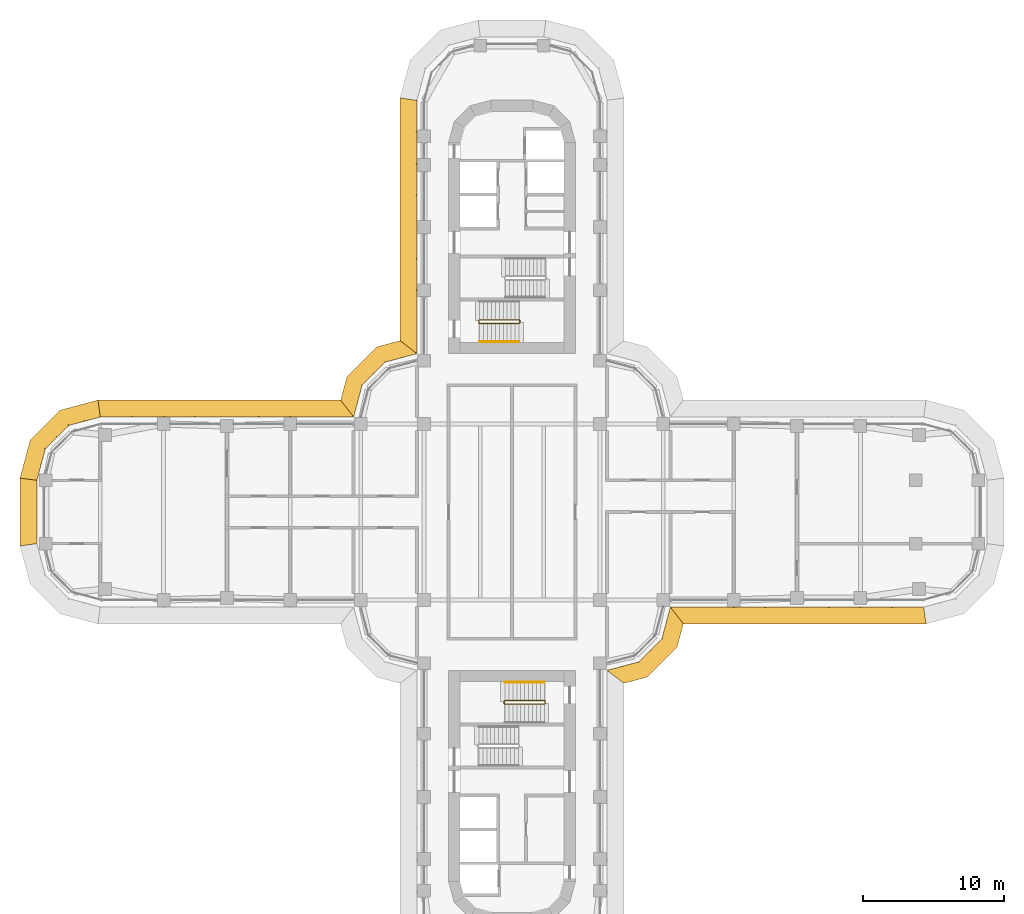
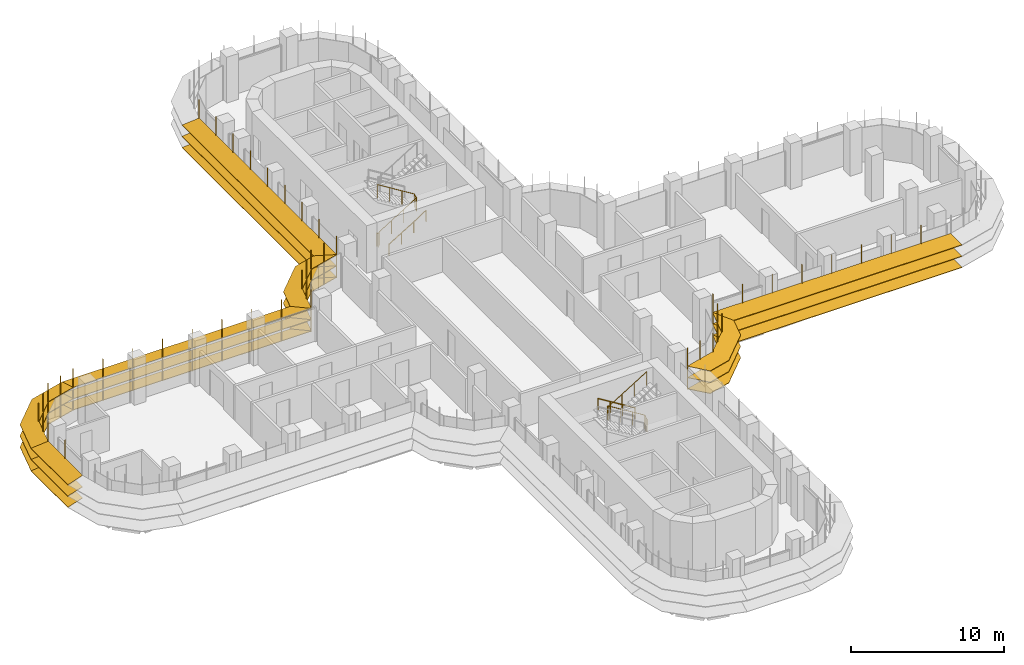
# One storey, part 21 of 23: 7 shading devices, 4 railings.
"""IFC4 building model written with IfcOpenShell, lengths in metres."""

from ifc_helpers import new_model, si_unit, direction, frame, origin, origin_2d, place, context, subcontext, project, spatial, polyline, circle, outline, extrude, faceted_brep, source, transform, mapped, material, type_object, element, save


model = new_model("IFC4")

# Units and contexts
model_context = context("Model", 3, precision=1e-05, world=origin(), true_north=direction((0.0, 1.0)))
body_context = subcontext(model_context, "Body", "Model", "MODEL_VIEW")
ifc_project = project(units=[si_unit("LENGTHUNIT", "METRE"), si_unit("AREAUNIT", "SQUARE_METRE"), si_unit("VOLUMEUNIT", "CUBIC_METRE"), si_unit("PLANEANGLEUNIT", "RADIAN"), si_unit("MASSUNIT", "GRAM", prefix="KILO")], contexts=[model_context])

# Site, building, storey
site_placement = place(None, origin())
site = spatial("IfcSite", under=ifc_project, at=site_placement, CompositionType="ELEMENT")
building_placement = place(site_placement, origin())
building = spatial("IfcBuilding", under=site, at=building_placement, Name="Zarbagh Exchange Tower", CompositionType="ELEMENT")
storey_placement = place(building_placement, frame((0.0, 0.0, 90.39990234375)))
storey = spatial("IfcBuildingStorey", under=building, at=storey_placement, Name="L20", CompositionType="ELEMENT", Elevation=90.39990234375)

# Railings
ifc_material_1 = material(Name="Stainless steel", Category="steel")
railing_type_1 = type_object("IfcRailingType", Name="Stair guard 1100 mm", PredefinedType="GUARDRAIL", material=ifc_material_1)
railing_1_placement = place(storey_placement, frame((-2.35009765625, 13.60009765625, 0.0)))
element("IfcRailing", 1, at=railing_1_placement, inside=storey, type_object=railing_type_1, Name="ST2 stair guard 1", PredefinedType="GUARDRAIL", context=body_context, shape_type="SweptSolid", body=[
    extrude(circle(Radius=0.02392578125, at=origin_2d()), frame((0.0, 0.0, 1.076171875), z_axis=(0.0, -1.0, 0.0), x_axis=(1.0, 0.0, 0.0)), (0.0, 0.0, 1.0), 0.150146484375),
    extrude(circle(Radius=0.02392578125, at=origin_2d()), frame((0.0, -0.150146484375, 1.076171875), z_axis=(0.267953482034, -0.267953482034, 0.925419830635), x_axis=(0.707106781187, 0.707106781187, 0.0)), (0.0, 0.0, 1.0), 0.186767578125),
    extrude(circle(Radius=0.02392578125, at=origin_2d()), frame((0.050048828125, -0.2001953125, 1.2490234375), z_axis=(0.851089632645, 0.0, 0.525020415988), x_axis=(0.0, 1.0, 0.0)), (0.0, 0.0, 1.0), 3.2900390625),
    extrude(circle(Radius=0.02392578125, at=origin_2d()), frame((2.85009765625, -0.2001953125, 2.97607421875), z_axis=(0.707106781187, 0.707106781187, 0.0), x_axis=(-0.707106781187, 0.707106781187, 0.0)), (0.0, 0.0, 1.0), 0.07080078125),
    extrude(circle(Radius=0.02392578125, at=origin_2d()), frame((2.900146484375, -0.150146484375, 2.97607421875), z_axis=(0.0, 1.0, 0.0), x_axis=(-1.0, 0.0, 0.0)), (0.0, 0.0, 1.0), 0.150146484375),
    extrude(circle(Radius=0.02392578125, at=origin_2d()), frame((2.900146484375, 0.0, 2.97607421875), z_axis=(-0.268371968888, 0.267062837333, 0.925556009775), x_axis=(-0.705375805398, -0.708833529934, 0.0)), (0.0, 0.0, 1.0), 0.1865234375),
    extrude(circle(Radius=0.02392578125, at=origin_2d()), frame((2.85009765625, 0.0498046875, 3.14892578125), z_axis=(-0.851089632645, 0.0, 0.525020415988), x_axis=(0.0, -1.0, 0.0)), (0.0, 0.0, 1.0), 3.2900390625),
    extrude(circle(Radius=0.02099609375, at=origin_2d()), origin(), (0.0, 0.0, 1.0), 1.052001953125),
    extrude(circle(Radius=0.02099609375, at=origin_2d()), frame((0.0, -0.150146484375, 0.0)), (0.0, 0.0, 1.0), 1.052001953125),
    extrude(circle(Radius=0.02099609375, at=origin_2d()), frame((0.050048828125, -0.2001953125, 0.1728515625)), (0.0, 0.0, 1.0), 1.052001953125),
    extrude(circle(Radius=0.02099609375, at=origin_2d()), frame((0.9833984375, -0.2001953125, 0.74853515625)), (0.0, 0.0, 1.0), 1.052001953125),
    extrude(circle(Radius=0.02099609375, at=origin_2d()), frame((1.916748046875, -0.2001953125, 1.324462890625)), (0.0, 0.0, 1.0), 1.052001953125),
    extrude(circle(Radius=0.02099609375, at=origin_2d()), frame((2.85009765625, -0.2001953125, 1.900146484375)), (0.0, 0.0, 1.0), 1.052001953125),
    extrude(circle(Radius=0.02099609375, at=origin_2d()), frame((2.900146484375, -0.150146484375, 1.900146484375)), (0.0, 0.0, 1.0), 1.052001953125),
    extrude(circle(Radius=0.02099609375, at=origin_2d()), frame((2.900146484375, 0.0, 1.900146484375)), (0.0, 0.0, 1.0), 1.052001953125),
    extrude(circle(Radius=0.02099609375, at=origin_2d()), frame((2.85009765625, 0.0498046875, 2.07275390625)), (0.0, 0.0, 1.0), 1.052001953125),
    extrude(circle(Radius=0.02099609375, at=origin_2d()), frame((1.916748046875, 0.0498046875, 2.6484375)), (0.0, 0.0, 1.0), 1.052001953125),
    extrude(circle(Radius=0.02099609375, at=origin_2d()), frame((0.9833984375, 0.0498046875, 3.224365234375)), (0.0, 0.0, 1.0), 1.052001953125),
    extrude(circle(Radius=0.02099609375, at=origin_2d()), frame((0.050048828125, 0.0498046875, 3.800048828125)), (0.0, 0.0, 1.0), 1.052001953125),
])
railing_2_placement = place(storey_placement, frame((2.35009765625, -13.60009765625, 0.0)))
element("IfcRailing", 2, at=railing_2_placement, inside=storey, type_object=railing_type_1, Name="ST4 stair guard 1", PredefinedType="GUARDRAIL", context=body_context, shape_type="SweptSolid", body=[
    extrude(circle(Radius=0.02392578125, at=origin_2d()), frame((0.0, 0.0, 1.076171875), z_axis=(0.0, 1.0, 0.0), x_axis=(-1.0, 0.0, 0.0)), (0.0, 0.0, 1.0), 0.150146484375),
    extrude(circle(Radius=0.02392578125, at=origin_2d()), frame((0.0, 0.150146484375, 1.076171875), z_axis=(-0.267953482034, 0.267953482034, 0.925419830635), x_axis=(-0.707106781187, -0.707106781187, 0.0)), (0.0, 0.0, 1.0), 0.186767578125),
    extrude(circle(Radius=0.02392578125, at=origin_2d()), frame((-0.050048828125, 0.2001953125, 1.2490234375), z_axis=(-0.851089632645, 0.0, 0.525020415988), x_axis=(0.0, -1.0, 0.0)), (0.0, 0.0, 1.0), 3.2900390625),
    extrude(circle(Radius=0.02392578125, at=origin_2d()), frame((-2.85009765625, 0.2001953125, 2.97607421875), z_axis=(-0.707106781187, -0.707106781187, 0.0), x_axis=(0.707106781187, -0.707106781187, 0.0)), (0.0, 0.0, 1.0), 0.07080078125),
    extrude(circle(Radius=0.02392578125, at=origin_2d()), frame((-2.900146484375, 0.150146484375, 2.97607421875), z_axis=(0.0, -1.0, 0.0), x_axis=(1.0, 0.0, 0.0)), (0.0, 0.0, 1.0), 0.150146484375),
    extrude(circle(Radius=0.02392578125, at=origin_2d()), frame((-2.900146484375, 0.0, 2.97607421875), z_axis=(0.268371968888, -0.267062837333, 0.925556009775), x_axis=(0.705375805398, 0.708833529934, 0.0)), (0.0, 0.0, 1.0), 0.1865234375),
    extrude(circle(Radius=0.02392578125, at=origin_2d()), frame((-2.85009765625, -0.0498046875, 3.14892578125), z_axis=(0.851089632645, 0.0, 0.525020415988), x_axis=(0.0, 1.0, 0.0)), (0.0, 0.0, 1.0), 3.2900390625),
    extrude(circle(Radius=0.02099609375, at=origin_2d()), origin(), (0.0, 0.0, 1.0), 1.052001953125),
    extrude(circle(Radius=0.02099609375, at=origin_2d()), frame((0.0, 0.150146484375, 0.0)), (0.0, 0.0, 1.0), 1.052001953125),
    extrude(circle(Radius=0.02099609375, at=origin_2d()), frame((-0.050048828125, 0.2001953125, 0.1728515625)), (0.0, 0.0, 1.0), 1.052001953125),
    extrude(circle(Radius=0.02099609375, at=origin_2d()), frame((-0.9833984375, 0.2001953125, 0.74853515625)), (0.0, 0.0, 1.0), 1.052001953125),
    extrude(circle(Radius=0.02099609375, at=origin_2d()), frame((-1.916748046875, 0.2001953125, 1.324462890625)), (0.0, 0.0, 1.0), 1.052001953125),
    extrude(circle(Radius=0.02099609375, at=origin_2d()), frame((-2.85009765625, 0.2001953125, 1.900146484375)), (0.0, 0.0, 1.0), 1.052001953125),
    extrude(circle(Radius=0.02099609375, at=origin_2d()), frame((-2.900146484375, 0.150146484375, 1.900146484375)), (0.0, 0.0, 1.0), 1.052001953125),
    extrude(circle(Radius=0.02099609375, at=origin_2d()), frame((-2.900146484375, 0.0, 1.900146484375)), (0.0, 0.0, 1.0), 1.052001953125),
    extrude(circle(Radius=0.02099609375, at=origin_2d()), frame((-2.85009765625, -0.0498046875, 2.07275390625)), (0.0, 0.0, 1.0), 1.052001953125),
    extrude(circle(Radius=0.02099609375, at=origin_2d()), frame((-1.916748046875, -0.0498046875, 2.6484375)), (0.0, 0.0, 1.0), 1.052001953125),
    extrude(circle(Radius=0.02099609375, at=origin_2d()), frame((-0.9833984375, -0.0498046875, 3.224365234375)), (0.0, 0.0, 1.0), 1.052001953125),
    extrude(circle(Radius=0.02099609375, at=origin_2d()), frame((-0.050048828125, -0.0498046875, 3.800048828125)), (0.0, 0.0, 1.0), 1.052001953125),
])
railing_type_2 = type_object("IfcRailingType", Name="Stair handrail 900 mm", PredefinedType="HANDRAIL", material=ifc_material_1)
railing_3_placement = place(storey_placement, frame((-2.300048828125, 12.10009765625, 0.1728515625)))
element("IfcRailing", 3, at=railing_3_placement, inside=storey, type_object=railing_type_2, Name="ST2 stair handrail 1", PredefinedType="HANDRAIL", context=body_context, shape_type="SweptSolid", body=[
    extrude(circle(Radius=0.02392578125, at=origin_2d()), frame((0.0, 0.0, 0.8759765625), z_axis=(0.851089632645, 0.0, 0.525020415988), x_axis=(0.0, 1.0, 0.0)), (0.0, 0.0, 1.0), 3.2900390625),
    extrude(circle(Radius=0.02099609375, at=origin_2d()), origin(), (0.0, 0.0, 1.0), 0.851806640625),
    extrude(circle(Radius=0.02099609375, at=origin_2d()), frame((0.933349609375, 0.0, 0.57568359375)), (0.0, 0.0, 1.0), 0.851806640625),
    extrude(circle(Radius=0.02099609375, at=origin_2d()), frame((1.86669921875, 0.0, 1.151611328125)), (0.0, 0.0, 1.0), 0.851806640625),
    extrude(circle(Radius=0.02099609375, at=origin_2d()), frame((2.800048828125, 0.0, 1.727294921875)), (0.0, 0.0, 1.0), 0.851806640625),
])
railing_4_placement = place(storey_placement, frame((2.300048828125, -12.10009765625, 0.1728515625)))
element("IfcRailing", 4, at=railing_4_placement, inside=storey, type_object=railing_type_2, Name="ST4 stair handrail 1", PredefinedType="HANDRAIL", context=body_context, shape_type="SweptSolid", body=[
    extrude(circle(Radius=0.02392578125, at=origin_2d()), frame((0.0, 0.0, 0.8759765625), z_axis=(-0.851089632645, 0.0, 0.525020415988), x_axis=(0.0, -1.0, 0.0)), (0.0, 0.0, 1.0), 3.2900390625),
    extrude(circle(Radius=0.02099609375, at=origin_2d()), origin(), (0.0, 0.0, 1.0), 0.851806640625),
    extrude(circle(Radius=0.02099609375, at=origin_2d()), frame((-0.933349609375, 0.0, 0.57568359375)), (0.0, 0.0, 1.0), 0.851806640625),
    extrude(circle(Radius=0.02099609375, at=origin_2d()), frame((-1.86669921875, 0.0, 1.151611328125)), (0.0, 0.0, 1.0), 0.851806640625),
    extrude(circle(Radius=0.02099609375, at=origin_2d()), frame((-2.800048828125, 0.0, 1.727294921875)), (0.0, 0.0, 1.0), 0.851806640625),
])

# Shading devices
ifc_material_2 = material(Name="Anodised aluminium blades and brackets", Category="aluminium")
shading_device_type = type_object("IfcShadingDeviceType", Name="SUNSHADE louvre band, 11.25 degree blades", PredefinedType="JALOUSIE", material=ifc_material_2)
shared_shape_1 = source(origin(), body_context, "Body", "Brep", [
    faceted_brep([(0.0, 0.0, 0.0), (0.0, 0.0, -0.040771484375), (-0.157958984375, -1.199951171875, -0.279541015625), (-0.157958984375, -1.199951171875, -0.23876953125), (2.65087890625, -1.199951171875, -0.23876953125), (2.65087890625, -1.199951171875, -0.279541015625), (2.329345703125, 0.0, -0.040771484375), (2.329345703125, 0.0, 0.0)], [[[0, 1, 2, 3]], [[4, 5, 6, 7]], [[0, 7, 6, 1]], [[1, 6, 5, 2]], [[2, 5, 4, 3]], [[3, 4, 7, 0]]]),
])
shared_shape_2 = source(origin(), body_context, "Body", "Brep", [
    faceted_brep([(0.0, 0.0, 0.0), (0.0, 0.0, -0.040771484375), (-0.321533203125, -1.199951171875, -0.279541015625), (-0.321533203125, -1.199951171875, -0.23876953125), (2.65087890625, -1.199951171875, -0.23876953125), (2.65087890625, -1.199951171875, -0.279541015625), (2.329345703125, 0.0, -0.040771484375), (2.329345703125, 0.0, 0.0)], [[[0, 1, 2, 3]], [[4, 5, 6, 7]], [[0, 7, 6, 1]], [[1, 6, 5, 2]], [[2, 5, 4, 3]], [[3, 4, 7, 0]]]),
])
shared_shape_3 = source(origin(), body_context, "Body", "Brep", [
    faceted_brep([(0.0, 0.0, 0.0), (0.0, 0.0, -0.040771484375), (-0.321533203125, -1.199951171875, -0.279541015625), (-0.321533203125, -1.199951171875, -0.23876953125), (2.4873046875, -1.199951171875, -0.23876953125), (2.4873046875, -1.199951171875, -0.279541015625), (2.329345703125, 0.0, -0.040771484375), (2.329345703125, 0.0, 0.0)], [[[0, 1, 2, 3]], [[4, 5, 6, 7]], [[0, 7, 6, 1]], [[1, 6, 5, 2]], [[2, 5, 4, 3]], [[3, 4, 7, 0]]]),
])
shared_shape_4 = source(origin(), body_context, "Body", "SweptSolid", [
    extrude(outline(polyline([(0.0, -0.012451171875), (0.06005859375, -0.012451171875), (0.06005859375, 0.012451171875), (0.0, 0.012451171875), (0.0, -0.012451171875)])), origin(), (0.0, 0.0, 1.0), 3.350830078125),
])
placement = place(storey_placement, origin())
element("IfcShadingDevice", 5, at=placement, inside=storey, type_object=shading_device_type, Name="SS17 sunshade band", PredefinedType="JALOUSIE", context=body_context, shape_type="MappedRepresentation", body=[
    mapped(shared_shape_1, transform((-29.25, 6.75, 2.300048828125), x_axis=(-0.965924289636, -0.258824779902, 0.0), y_axis=(0.258824779902, -0.965924289636, 0.0), z_axis=(0.0, 0.0, 1.0))),
    mapped(shared_shape_1, transform((-29.25, 6.75, 1.400146484375), x_axis=(-0.965924289636, -0.258824779902, 0.0), y_axis=(0.258824779902, -0.965924289636, 0.0), z_axis=(0.0, 0.0, 1.0))),
    mapped(shared_shape_1, transform((-29.25, 6.75, 0.5), x_axis=(-0.965924289636, -0.258824779902, 0.0), y_axis=(0.258824779902, -0.965924289636, 0.0), z_axis=(0.0, 0.0, 1.0))),
    mapped(shared_shape_2, transform((-31.5, 6.147216796875, 2.300048828125), x_axis=(-0.707106781187, -0.707106781187, 0.0), y_axis=(0.707106781187, -0.707106781187, 0.0), z_axis=(0.0, 0.0, 1.0))),
    mapped(shared_shape_2, transform((-31.5, 6.147216796875, 1.400146484375), x_axis=(-0.707106781187, -0.707106781187, 0.0), y_axis=(0.707106781187, -0.707106781187, 0.0), z_axis=(0.0, 0.0, 1.0))),
    mapped(shared_shape_2, transform((-31.5, 6.147216796875, 0.5), x_axis=(-0.707106781187, -0.707106781187, 0.0), y_axis=(0.707106781187, -0.707106781187, 0.0), z_axis=(0.0, 0.0, 1.0))),
    mapped(shared_shape_3, transform((-33.147216796875, 4.5, 2.300048828125), x_axis=(-0.258824779902, -0.965924289636, 0.0), y_axis=(0.965924289636, -0.258824779902, 0.0), z_axis=(0.0, 0.0, 1.0))),
    mapped(shared_shape_3, transform((-33.147216796875, 4.5, 1.400146484375), x_axis=(-0.258824779902, -0.965924289636, 0.0), y_axis=(0.965924289636, -0.258824779902, 0.0), z_axis=(0.0, 0.0, 1.0))),
    mapped(shared_shape_3, transform((-33.147216796875, 4.5, 0.5), x_axis=(-0.258824779902, -0.965924289636, 0.0), y_axis=(0.965924289636, -0.258824779902, 0.0), z_axis=(0.0, 0.0, 1.0))),
    mapped(shared_shape_4, transform((-29.25, 6.75, 0.42919921875), x_axis=(-0.130529263012, 0.991444457092, 0.0), y_axis=(-0.991444457092, -0.130529263012, 0.0), z_axis=(0.0, 0.0, 1.0))),
    mapped(shared_shape_4, transform((-30.375, 6.448486328125, 0.42919921875), x_axis=(-0.258825058029, 0.96592421511, 0.0), y_axis=(-0.96592421511, -0.258825058029, 0.0), z_axis=(0.0, 0.0, 1.0))),
    mapped(shared_shape_4, transform((-31.5, 6.147216796875, 0.42919921875), x_axis=(-0.50000275701, 0.866023812018, 0.0), y_axis=(-0.866023812018, -0.50000275701, 0.0), z_axis=(0.0, 0.0, 1.0))),
    mapped(shared_shape_4, transform((-32.323486328125, 5.323486328125, 0.42919921875), x_axis=(-0.707106781187, 0.707106781187, 0.0), y_axis=(-0.707106781187, -0.707106781187, 0.0), z_axis=(0.0, 0.0, 1.0))),
    mapped(shared_shape_4, transform((-33.147216796875, 4.5, 0.42919921875), x_axis=(-0.866023812018, 0.50000275701, 0.0), y_axis=(-0.50000275701, -0.866023812018, 0.0), z_axis=(0.0, 0.0, 1.0))),
    mapped(shared_shape_4, transform((-33.448486328125, 3.375, 0.42919921875), x_axis=(-0.96592421511, 0.258825058029, 0.0), y_axis=(-0.258825058029, -0.96592421511, 0.0), z_axis=(0.0, 0.0, 1.0))),
])
shared_shape_5 = source(origin(), body_context, "Body", "Brep", [
    faceted_brep([(0.0, 0.0, 0.0), (0.0, 0.0, -0.040771484375), (0.9208984375, -1.199951171875, -0.279541015625), (0.9208984375, -1.199951171875, -0.23876953125), (2.65087890625, -1.199951171875, -0.23876953125), (2.65087890625, -1.199951171875, -0.279541015625), (2.329345703125, 0.0, -0.040771484375), (2.329345703125, 0.0, 0.0)], [[[0, 1, 2, 3]], [[4, 5, 6, 7]], [[0, 7, 6, 1]], [[1, 6, 5, 2]], [[2, 5, 4, 3]], [[3, 4, 7, 0]]]),
])
shared_shape_6 = source(origin(), body_context, "Body", "Brep", [
    faceted_brep([(0.0, 0.0, 0.0), (0.0, 0.0, -0.040771484375), (-0.321533203125, -1.199951171875, -0.279541015625), (-0.321533203125, -1.199951171875, -0.23876953125), (1.40869140625, -1.199951171875, -0.23876953125), (1.40869140625, -1.199951171875, -0.279541015625), (2.329345703125, 0.0, -0.040771484375), (2.329345703125, 0.0, 0.0)], [[[0, 1, 2, 3]], [[4, 5, 6, 7]], [[0, 7, 6, 1]], [[1, 6, 5, 2]], [[2, 5, 4, 3]], [[3, 4, 7, 0]]]),
])
element("IfcShadingDevice", 6, at=placement, inside=storey, type_object=shading_device_type, Name="SS03 sunshade band", PredefinedType="JALOUSIE", context=body_context, shape_type="MappedRepresentation", body=[
    mapped(shared_shape_5, transform((6.75, -11.25, 2.300048828125), x_axis=(0.965924289636, 0.258824779902, 0.0), y_axis=(-0.258824779902, 0.965924289636, 0.0), z_axis=(0.0, 0.0, 1.0))),
    mapped(shared_shape_5, transform((6.75, -11.25, 1.400146484375), x_axis=(0.965924289636, 0.258824779902, 0.0), y_axis=(-0.258824779902, 0.965924289636, 0.0), z_axis=(0.0, 0.0, 1.0))),
    mapped(shared_shape_5, transform((6.75, -11.25, 0.5), x_axis=(0.965924289636, 0.258824779902, 0.0), y_axis=(-0.258824779902, 0.965924289636, 0.0), z_axis=(0.0, 0.0, 1.0))),
    mapped(shared_shape_2, transform((9.0, -10.647216796875, 2.300048828125), x_axis=(0.707106781187, 0.707106781187, 0.0), y_axis=(-0.707106781187, 0.707106781187, 0.0), z_axis=(0.0, 0.0, 1.0))),
    mapped(shared_shape_2, transform((9.0, -10.647216796875, 1.400146484375), x_axis=(0.707106781187, 0.707106781187, 0.0), y_axis=(-0.707106781187, 0.707106781187, 0.0), z_axis=(0.0, 0.0, 1.0))),
    mapped(shared_shape_2, transform((9.0, -10.647216796875, 0.5), x_axis=(0.707106781187, 0.707106781187, 0.0), y_axis=(-0.707106781187, 0.707106781187, 0.0), z_axis=(0.0, 0.0, 1.0))),
    mapped(shared_shape_6, transform((10.647216796875, -9.0, 2.300048828125), x_axis=(0.258824779902, 0.965924289636, 0.0), y_axis=(-0.965924289636, 0.258824779902, 0.0), z_axis=(0.0, 0.0, 1.0))),
    mapped(shared_shape_6, transform((10.647216796875, -9.0, 1.400146484375), x_axis=(0.258824779902, 0.965924289636, 0.0), y_axis=(-0.965924289636, 0.258824779902, 0.0), z_axis=(0.0, 0.0, 1.0))),
    mapped(shared_shape_6, transform((10.647216796875, -9.0, 0.5), x_axis=(0.258824779902, 0.965924289636, 0.0), y_axis=(-0.965924289636, 0.258824779902, 0.0), z_axis=(0.0, 0.0, 1.0))),
    mapped(shared_shape_4, transform((6.75, -11.25, 0.42919921875), x_axis=(0.793355287, -0.608758892, 0.0), y_axis=(0.608758892, 0.793355287, 0.0), z_axis=(0.0, 0.0, 1.0))),
    mapped(shared_shape_4, transform((7.875, -10.948486328125, 0.42919921875), x_axis=(0.258825058029, -0.96592421511, 0.0), y_axis=(0.96592421511, 0.258825058029, 0.0), z_axis=(0.0, 0.0, 1.0))),
    mapped(shared_shape_4, transform((9.0, -10.647216796875, 0.42919921875), x_axis=(0.50000275701, -0.866023812018, 0.0), y_axis=(0.866023812018, 0.50000275701, 0.0), z_axis=(0.0, 0.0, 1.0))),
    mapped(shared_shape_4, transform((9.823486328125, -9.823486328125, 0.42919921875), x_axis=(0.707106781187, -0.707106781187, 0.0), y_axis=(0.707106781187, 0.707106781187, 0.0), z_axis=(0.0, 0.0, 1.0))),
    mapped(shared_shape_4, transform((10.647216796875, -9.0, 0.42919921875), x_axis=(0.866023812018, -0.50000275701, 0.0), y_axis=(0.50000275701, 0.866023812018, 0.0), z_axis=(0.0, 0.0, 1.0))),
    mapped(shared_shape_4, transform((10.948486328125, -7.875, 0.42919921875), x_axis=(0.96592421511, -0.258825058029, 0.0), y_axis=(0.258825058029, 0.96592421511, 0.0), z_axis=(0.0, 0.0, 1.0))),
])
element("IfcShadingDevice", 7, at=placement, inside=storey, type_object=shading_device_type, Name="SS15 sunshade band", PredefinedType="JALOUSIE", context=body_context, shape_type="MappedRepresentation", body=[
    mapped(shared_shape_5, transform((-6.75, 11.25, 2.300048828125), x_axis=(-0.965924289636, -0.258824779902, 0.0), y_axis=(0.258824779902, -0.965924289636, 0.0), z_axis=(0.0, 0.0, 1.0))),
    mapped(shared_shape_5, transform((-6.75, 11.25, 1.400146484375), x_axis=(-0.965924289636, -0.258824779902, 0.0), y_axis=(0.258824779902, -0.965924289636, 0.0), z_axis=(0.0, 0.0, 1.0))),
    mapped(shared_shape_5, transform((-6.75, 11.25, 0.5), x_axis=(-0.965924289636, -0.258824779902, 0.0), y_axis=(0.258824779902, -0.965924289636, 0.0), z_axis=(0.0, 0.0, 1.0))),
    mapped(shared_shape_2, transform((-9.0, 10.647216796875, 2.300048828125), x_axis=(-0.707106781187, -0.707106781187, 0.0), y_axis=(0.707106781187, -0.707106781187, 0.0), z_axis=(0.0, 0.0, 1.0))),
    mapped(shared_shape_2, transform((-9.0, 10.647216796875, 1.400146484375), x_axis=(-0.707106781187, -0.707106781187, 0.0), y_axis=(0.707106781187, -0.707106781187, 0.0), z_axis=(0.0, 0.0, 1.0))),
    mapped(shared_shape_2, transform((-9.0, 10.647216796875, 0.5), x_axis=(-0.707106781187, -0.707106781187, 0.0), y_axis=(0.707106781187, -0.707106781187, 0.0), z_axis=(0.0, 0.0, 1.0))),
    mapped(shared_shape_6, transform((-10.647216796875, 9.0, 2.300048828125), x_axis=(-0.258824779902, -0.965924289636, 0.0), y_axis=(0.965924289636, -0.258824779902, 0.0), z_axis=(0.0, 0.0, 1.0))),
    mapped(shared_shape_6, transform((-10.647216796875, 9.0, 1.400146484375), x_axis=(-0.258824779902, -0.965924289636, 0.0), y_axis=(0.965924289636, -0.258824779902, 0.0), z_axis=(0.0, 0.0, 1.0))),
    mapped(shared_shape_6, transform((-10.647216796875, 9.0, 0.5), x_axis=(-0.258824779902, -0.965924289636, 0.0), y_axis=(0.965924289636, -0.258824779902, 0.0), z_axis=(0.0, 0.0, 1.0))),
    mapped(shared_shape_4, transform((-6.75, 11.25, 0.42919921875), x_axis=(-0.793355287, 0.608758892, 0.0), y_axis=(-0.608758892, -0.793355287, 0.0), z_axis=(0.0, 0.0, 1.0))),
    mapped(shared_shape_4, transform((-7.875, 10.948486328125, 0.42919921875), x_axis=(-0.258825058029, 0.96592421511, 0.0), y_axis=(-0.96592421511, -0.258825058029, 0.0), z_axis=(0.0, 0.0, 1.0))),
    mapped(shared_shape_4, transform((-9.0, 10.647216796875, 0.42919921875), x_axis=(-0.50000275701, 0.866023812018, 0.0), y_axis=(-0.866023812018, -0.50000275701, 0.0), z_axis=(0.0, 0.0, 1.0))),
    mapped(shared_shape_4, transform((-9.823486328125, 9.823486328125, 0.42919921875), x_axis=(-0.707106781187, 0.707106781187, 0.0), y_axis=(-0.707106781187, -0.707106781187, 0.0), z_axis=(0.0, 0.0, 1.0))),
    mapped(shared_shape_4, transform((-10.647216796875, 9.0, 0.42919921875), x_axis=(-0.866023812018, 0.50000275701, 0.0), y_axis=(-0.50000275701, -0.866023812018, 0.0), z_axis=(0.0, 0.0, 1.0))),
    mapped(shared_shape_4, transform((-10.948486328125, 7.875, 0.42919921875), x_axis=(-0.96592421511, 0.258825058029, 0.0), y_axis=(-0.258825058029, -0.96592421511, 0.0), z_axis=(0.0, 0.0, 1.0))),
])
shared_shape_7 = source(origin(), body_context, "Body", "Brep", [
    faceted_brep([(0.0, 0.0, 0.0), (0.0, 0.0, -0.040771484375), (0.9208984375, -1.199951171875, -0.279541015625), (0.9208984375, -1.199951171875, -0.23876953125), (18.157958984375, -1.199951171875, -0.23876953125), (18.157958984375, -1.199951171875, -0.279541015625), (18.0, 0.0, -0.040771484375), (18.0, 0.0, 0.0)], [[[0, 1, 2, 3]], [[4, 5, 6, 7]], [[0, 7, 6, 1]], [[1, 6, 5, 2]], [[2, 5, 4, 3]], [[3, 4, 7, 0]]]),
])
element("IfcShadingDevice", 8, at=placement, inside=storey, type_object=shading_device_type, Name="SS04 sunshade band", PredefinedType="JALOUSIE", context=body_context, shape_type="MappedRepresentation", body=[
    mapped(shared_shape_7, transform((11.25, -6.75, 2.300048828125), x_axis=(1.0, 0.0, 0.0), y_axis=(0.0, 1.0, 0.0), z_axis=(0.0, 0.0, 1.0))),
    mapped(shared_shape_7, transform((11.25, -6.75, 1.400146484375), x_axis=(1.0, 0.0, 0.0), y_axis=(0.0, 1.0, 0.0), z_axis=(0.0, 0.0, 1.0))),
    mapped(shared_shape_7, transform((11.25, -6.75, 0.5), x_axis=(1.0, 0.0, 0.0), y_axis=(0.0, 1.0, 0.0), z_axis=(0.0, 0.0, 1.0))),
    mapped(shared_shape_4, transform((11.25, -6.75, 0.42919921875), x_axis=(0.608758892, -0.793355287, 0.0), y_axis=(0.793355287, 0.608758892, 0.0), z_axis=(0.0, 0.0, 1.0))),
    mapped(shared_shape_4, transform((13.5, -6.75, 0.42919921875), x_axis=(0.0, -1.0, 0.0), y_axis=(1.0, 0.0, 0.0), z_axis=(0.0, 0.0, 1.0))),
    mapped(shared_shape_4, transform((15.75, -6.75, 0.42919921875), x_axis=(0.0, -1.0, 0.0), y_axis=(1.0, 0.0, 0.0), z_axis=(0.0, 0.0, 1.0))),
    mapped(shared_shape_4, transform((18.0, -6.75, 0.42919921875), x_axis=(0.0, -1.0, 0.0), y_axis=(1.0, 0.0, 0.0), z_axis=(0.0, 0.0, 1.0))),
    mapped(shared_shape_4, transform((20.25, -6.75, 0.42919921875), x_axis=(0.0, -1.0, 0.0), y_axis=(1.0, 0.0, 0.0), z_axis=(0.0, 0.0, 1.0))),
    mapped(shared_shape_4, transform((22.5, -6.75, 0.42919921875), x_axis=(0.0, -1.0, 0.0), y_axis=(1.0, 0.0, 0.0), z_axis=(0.0, 0.0, 1.0))),
    mapped(shared_shape_4, transform((24.75, -6.75, 0.42919921875), x_axis=(0.0, -1.0, 0.0), y_axis=(1.0, 0.0, 0.0), z_axis=(0.0, 0.0, 1.0))),
    mapped(shared_shape_4, transform((27.0, -6.75, 0.42919921875), x_axis=(0.0, -1.0, 0.0), y_axis=(1.0, 0.0, 0.0), z_axis=(0.0, 0.0, 1.0))),
])
shared_shape_8 = source(origin(), body_context, "Body", "Brep", [
    faceted_brep([(0.0, 0.0, 0.0), (0.0, 0.0, -0.040771484375), (-0.157958984375, -1.199951171875, -0.279541015625), (-0.157958984375, -1.199951171875, -0.23876953125), (17.0791015625, -1.199951171875, -0.23876953125), (17.0791015625, -1.199951171875, -0.279541015625), (18.0, 0.0, -0.040771484375), (18.0, 0.0, 0.0)], [[[0, 1, 2, 3]], [[4, 5, 6, 7]], [[0, 7, 6, 1]], [[1, 6, 5, 2]], [[2, 5, 4, 3]], [[3, 4, 7, 0]]]),
])
element("IfcShadingDevice", 9, at=placement, inside=storey, type_object=shading_device_type, Name="SS14 sunshade band", PredefinedType="JALOUSIE", context=body_context, shape_type="MappedRepresentation", body=[
    mapped(shared_shape_8, transform((-6.75, 29.25, 2.300048828125), x_axis=(0.0, -1.0, 0.0), y_axis=(1.0, 0.0, 0.0), z_axis=(0.0, 0.0, 1.0))),
    mapped(shared_shape_8, transform((-6.75, 29.25, 1.400146484375), x_axis=(0.0, -1.0, 0.0), y_axis=(1.0, 0.0, 0.0), z_axis=(0.0, 0.0, 1.0))),
    mapped(shared_shape_8, transform((-6.75, 29.25, 0.5), x_axis=(0.0, -1.0, 0.0), y_axis=(1.0, 0.0, 0.0), z_axis=(0.0, 0.0, 1.0))),
    mapped(shared_shape_4, transform((-6.75, 29.25, 0.42919921875), x_axis=(-0.991444457092, 0.130529263012, 0.0), y_axis=(-0.130529263012, -0.991444457092, 0.0), z_axis=(0.0, 0.0, 1.0))),
    mapped(shared_shape_4, transform((-6.75, 27.0, 0.42919921875), x_axis=(-1.0, 0.0, 0.0), y_axis=(0.0, -1.0, 0.0), z_axis=(0.0, 0.0, 1.0))),
    mapped(shared_shape_4, transform((-6.75, 24.75, 0.42919921875), x_axis=(-1.0, 0.0, 0.0), y_axis=(0.0, -1.0, 0.0), z_axis=(0.0, 0.0, 1.0))),
    mapped(shared_shape_4, transform((-6.75, 22.5, 0.42919921875), x_axis=(-1.0, 0.0, 0.0), y_axis=(0.0, -1.0, 0.0), z_axis=(0.0, 0.0, 1.0))),
    mapped(shared_shape_4, transform((-6.75, 20.25, 0.42919921875), x_axis=(-1.0, 0.0, 0.0), y_axis=(0.0, -1.0, 0.0), z_axis=(0.0, 0.0, 1.0))),
    mapped(shared_shape_4, transform((-6.75, 18.0, 0.42919921875), x_axis=(-1.0, 0.0, 0.0), y_axis=(0.0, -1.0, 0.0), z_axis=(0.0, 0.0, 1.0))),
    mapped(shared_shape_4, transform((-6.75, 15.75, 0.42919921875), x_axis=(-1.0, 0.0, 0.0), y_axis=(0.0, -1.0, 0.0), z_axis=(0.0, 0.0, 1.0))),
    mapped(shared_shape_4, transform((-6.75, 13.5, 0.42919921875), x_axis=(-1.0, 0.0, 0.0), y_axis=(0.0, -1.0, 0.0), z_axis=(0.0, 0.0, 1.0))),
])
element("IfcShadingDevice", 10, at=placement, inside=storey, type_object=shading_device_type, Name="SS16 sunshade band", PredefinedType="JALOUSIE", context=body_context, shape_type="MappedRepresentation", body=[
    mapped(shared_shape_7, transform((-11.25, 6.75, 2.300048828125), x_axis=(-1.0, 0.0, 0.0), y_axis=(0.0, -1.0, 0.0), z_axis=(0.0, 0.0, 1.0))),
    mapped(shared_shape_7, transform((-11.25, 6.75, 1.400146484375), x_axis=(-1.0, 0.0, 0.0), y_axis=(0.0, -1.0, 0.0), z_axis=(0.0, 0.0, 1.0))),
    mapped(shared_shape_7, transform((-11.25, 6.75, 0.5), x_axis=(-1.0, 0.0, 0.0), y_axis=(0.0, -1.0, 0.0), z_axis=(0.0, 0.0, 1.0))),
    mapped(shared_shape_4, transform((-11.25, 6.75, 0.42919921875), x_axis=(-0.608758892, 0.793355287, 0.0), y_axis=(-0.793355287, -0.608758892, 0.0), z_axis=(0.0, 0.0, 1.0))),
    mapped(shared_shape_4, transform((-13.5, 6.75, 0.42919921875), x_axis=(0.0, 1.0, 0.0), y_axis=(-1.0, 0.0, 0.0), z_axis=(0.0, 0.0, 1.0))),
    mapped(shared_shape_4, transform((-15.75, 6.75, 0.42919921875), x_axis=(0.0, 1.0, 0.0), y_axis=(-1.0, 0.0, 0.0), z_axis=(0.0, 0.0, 1.0))),
    mapped(shared_shape_4, transform((-18.0, 6.75, 0.42919921875), x_axis=(0.0, 1.0, 0.0), y_axis=(-1.0, 0.0, 0.0), z_axis=(0.0, 0.0, 1.0))),
    mapped(shared_shape_4, transform((-20.25, 6.75, 0.42919921875), x_axis=(0.0, 1.0, 0.0), y_axis=(-1.0, 0.0, 0.0), z_axis=(0.0, 0.0, 1.0))),
    mapped(shared_shape_4, transform((-22.5, 6.75, 0.42919921875), x_axis=(0.0, 1.0, 0.0), y_axis=(-1.0, 0.0, 0.0), z_axis=(0.0, 0.0, 1.0))),
    mapped(shared_shape_4, transform((-24.75, 6.75, 0.42919921875), x_axis=(0.0, 1.0, 0.0), y_axis=(-1.0, 0.0, 0.0), z_axis=(0.0, 0.0, 1.0))),
    mapped(shared_shape_4, transform((-27.0, 6.75, 0.42919921875), x_axis=(0.0, 1.0, 0.0), y_axis=(-1.0, 0.0, 0.0), z_axis=(0.0, 0.0, 1.0))),
])
shared_shape_9 = source(origin(), body_context, "Body", "Brep", [
    faceted_brep([(0.0, 0.0, 0.0), (0.0, 0.0, -0.040771484375), (-0.157958984375, -1.199951171875, -0.279541015625), (-0.157958984375, -1.199951171875, -0.23876953125), (4.657958984375, -1.199951171875, -0.23876953125), (4.657958984375, -1.199951171875, -0.279541015625), (4.5, 0.0, -0.040771484375), (4.5, 0.0, 0.0)], [[[0, 1, 2, 3]], [[4, 5, 6, 7]], [[0, 7, 6, 1]], [[1, 6, 5, 2]], [[2, 5, 4, 3]], [[3, 4, 7, 0]]]),
])
element("IfcShadingDevice", 11, at=placement, inside=storey, type_object=shading_device_type, Name="SS18 sunshade band", PredefinedType="JALOUSIE", context=body_context, shape_type="MappedRepresentation", body=[
    mapped(shared_shape_9, transform((-33.75, 2.25, 2.300048828125), x_axis=(0.0, -1.0, 0.0), y_axis=(1.0, 0.0, 0.0), z_axis=(0.0, 0.0, 1.0))),
    mapped(shared_shape_9, transform((-33.75, 2.25, 1.400146484375), x_axis=(0.0, -1.0, 0.0), y_axis=(1.0, 0.0, 0.0), z_axis=(0.0, 0.0, 1.0))),
    mapped(shared_shape_9, transform((-33.75, 2.25, 0.5), x_axis=(0.0, -1.0, 0.0), y_axis=(1.0, 0.0, 0.0), z_axis=(0.0, 0.0, 1.0))),
    mapped(shared_shape_4, transform((-33.75, 2.25, 0.42919921875), x_axis=(-0.991444457092, 0.130529263012, 0.0), y_axis=(-0.130529263012, -0.991444457092, 0.0), z_axis=(0.0, 0.0, 1.0))),
    mapped(shared_shape_4, transform((-33.75, 0.0, 0.42919921875), x_axis=(-1.0, 0.0, 0.0), y_axis=(0.0, -1.0, 0.0), z_axis=(0.0, 0.0, 1.0))),
])

save(model, "model.ifc")
